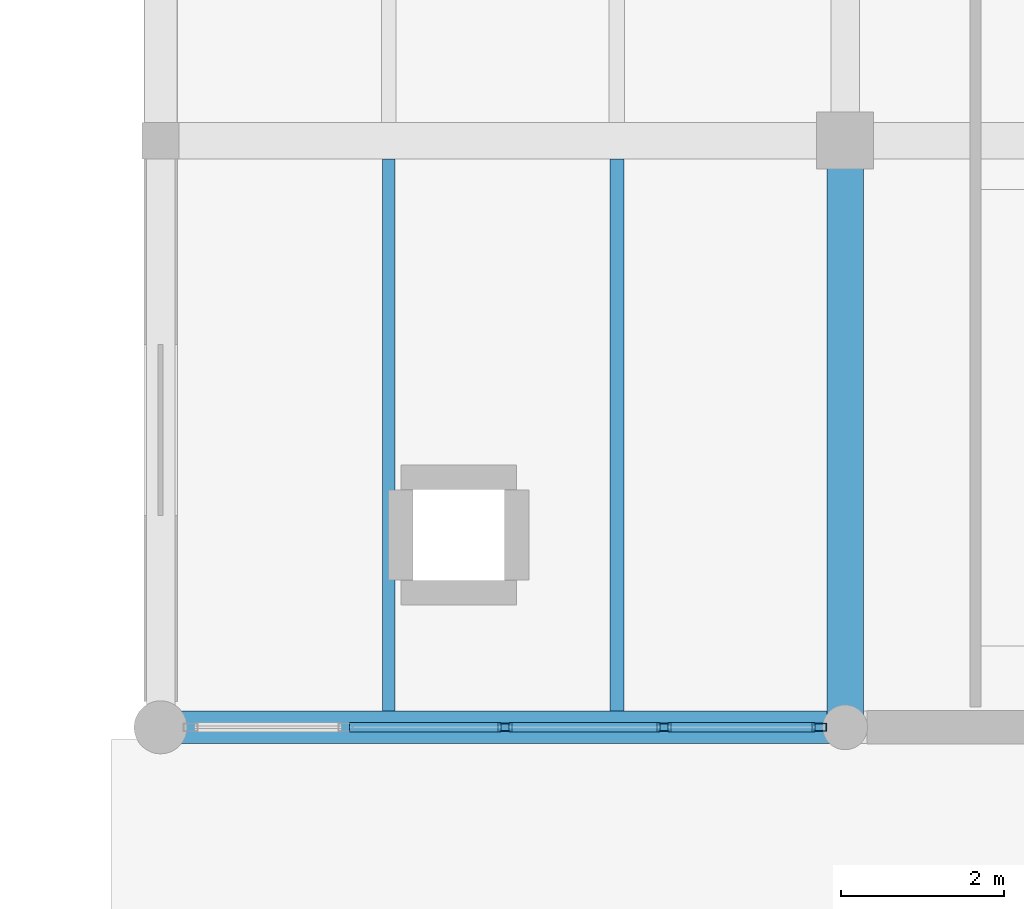
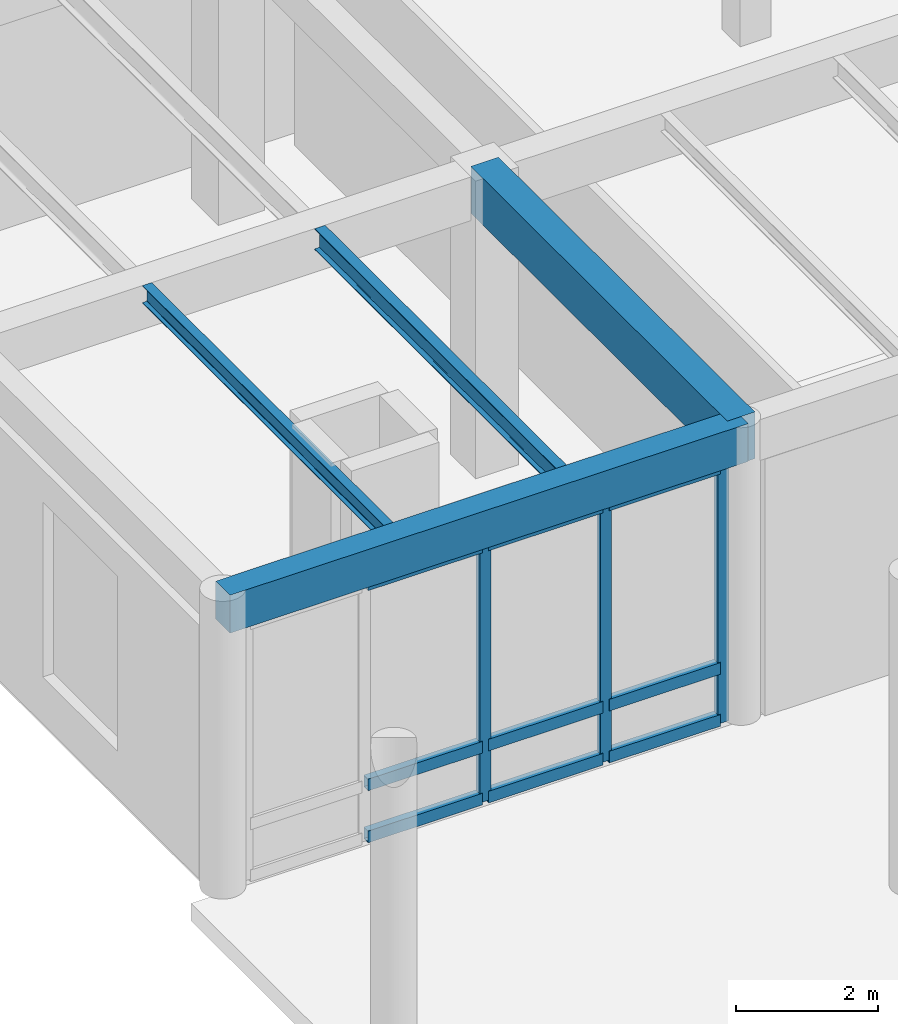
# One storey, part 20 of 169: 12 members, 4 beams, 1 element without a shape of its own.
"""IFC4 building model written with IfcOpenShell, lengths in metres."""

from ifc_helpers import new_model, si_unit, direction, frame, origin, origin_2d, place, context, subcontext, project, spatial, rectangle, hollow_rectangle, i_section, extrude, material, layer, layer_set, material_profile, profile_set, type_object, element, aggregate, save


model = new_model("IFC4")

# Units and contexts
model_context = context("Model", 3, precision=1e-05, world=origin(), true_north=direction((0.0, 1.0)))
body_context = subcontext(model_context, "Body", "Model", "MODEL_VIEW")
ifc_project = project(units=[si_unit("LENGTHUNIT", "METRE"), si_unit("AREAUNIT", "SQUARE_METRE"), si_unit("VOLUMEUNIT", "CUBIC_METRE"), si_unit("PLANEANGLEUNIT", "RADIAN"), si_unit("MASSUNIT", "GRAM", prefix="KILO")], contexts=[model_context])

# Site, building, storey
site_placement = place(None, origin())
site = spatial("IfcSite", under=ifc_project, at=site_placement, CompositionType="ELEMENT")
building_placement = place(site_placement, origin())
building = spatial("IfcBuilding", under=site, at=building_placement, Name="Mazaris Harbour Polytechnic", CompositionType="ELEMENT")
storey_placement = place(building_placement, origin())
storey = spatial("IfcBuildingStorey", under=building, at=storey_placement, Name="L00", CompositionType="ELEMENT", Elevation=0.0)

# Curtain wall, members
ifc_material_1 = material(Name="Anodised Bronze Aluminium and Low-E Glass", Category="aluminium")
ifc_layer = layer(ifc_material_1, 0.179931640625, Name="Anodised Bronze Aluminium and Low-E Glass")
ifc_layer_set = layer_set([ifc_layer], Name="Anodised Bronze Aluminium and Low-E Glass")
curtain_wall_type = type_object("IfcCurtainWallType", Name="Harbour Colonnade Curtain Wall", PredefinedType="NOTDEFINED", material=ifc_layer_set)
curtain_wall_placement = place(storey_placement, origin())
curtain_wall = element("IfcCurtainWall", 1, at=curtain_wall_placement, inside=storey, type_object=curtain_wall_type, Name="V3 L00 Curtain Wall 60", PredefinedType="NOTDEFINED")
ifc_material_2 = material(Name="Anodised Bronze Steel S355", Category="steel")
ifc_material_profile_1 = material_profile(ifc_material_2, hollow_rectangle(XDim=0.10009765625, YDim=0.179931640625, WallThickness=0.008056640625, at=origin_2d()), Name="RHS 100x180x8.0")
ifc_profile_set_1 = profile_set([ifc_material_profile_1], Name="Anodised Bronze Steel S355")
member_type_1 = type_object("IfcMemberType", Name="Curtain Mullion RHS100x180", PredefinedType="MULLION", material=ifc_profile_set_1)
member_1_placement = place(storey_placement, frame((62.0830078125, 7.199951171875, 0.0), z_axis=(0.0, 0.0, 1.0), x_axis=(0.0, -1.0, 0.0)))
member_1 = element("IfcMember", 2, at=member_1_placement, type_object=member_type_1, Name="CW-01 mullion 1", PredefinedType="MULLION", context=body_context, shape_type="SweptSolid", body=[
    extrude(hollow_rectangle(XDim=0.10009765625, YDim=0.179931640625, WallThickness=0.008056640625, at=origin_2d()), origin(), (0.0, 0.0, 1.0), 4.43994140625),
])
member_2_placement = place(storey_placement, frame((60.178955078125, 7.199951171875, 0.0), z_axis=(0.0, 0.0, 1.0), x_axis=(0.0, -1.0, 0.0)))
member_2 = element("IfcMember", 3, at=member_2_placement, type_object=member_type_1, Name="CW-01 mullion 2", PredefinedType="MULLION", context=body_context, shape_type="SweptSolid", body=[
    extrude(hollow_rectangle(XDim=0.10009765625, YDim=0.179931640625, WallThickness=0.008056640625, at=origin_2d()), origin(), (0.0, 0.0, 1.0), 4.43994140625),
])
member_3_placement = place(storey_placement, frame((58.22509765625, 7.199951171875, 0.0), z_axis=(0.0, 0.0, 1.0), x_axis=(0.0, -1.0, 0.0)))
member_3 = element("IfcMember", 4, at=member_3_placement, type_object=member_type_1, Name="CW-01 mullion 3", PredefinedType="MULLION", context=body_context, shape_type="SweptSolid", body=[
    extrude(hollow_rectangle(XDim=0.10009765625, YDim=0.179931640625, WallThickness=0.008056640625, at=origin_2d()), origin(), (0.0, 0.0, 1.0), 4.43994140625),
])
ifc_material_3 = material(Name="Anodised Bronze Steel S355", Category="steel")
ifc_material_profile_2 = material_profile(ifc_material_3, hollow_rectangle(XDim=0.1201171875, YDim=0.199951171875, WallThickness=0.008056640625, at=origin_2d()), Name="RHS 120x200x8.0")
ifc_profile_set_2 = profile_set([ifc_material_profile_2], Name="Anodised Bronze Steel S355")
member_type_2 = type_object("IfcMemberType", Name="Curtain Transom RHS120x200", PredefinedType="USERDEFINED", material=ifc_profile_set_2)
member_4_placement = place(storey_placement, frame((62.032958984375, 7.199951171875, 0.06005859375), z_axis=(-1.0, 0.0, 0.0), x_axis=(0.0, -1.0, 0.0)))
member_4 = element("IfcMember", 5, at=member_4_placement, type_object=member_type_2, Name="CW-01 transom 1.1", ObjectType="TRANSOM", PredefinedType="USERDEFINED", context=body_context, shape_type="SweptSolid", body=[
    extrude(hollow_rectangle(XDim=0.1201171875, YDim=0.199951171875, WallThickness=0.008056640625, at=origin_2d()), origin(), (0.0, 0.0, 1.0), 1.803955078125),
])
member_5_placement = place(storey_placement, frame((62.032958984375, 7.199951171875, 0.949951171875), z_axis=(-1.0, 0.0, 0.0), x_axis=(0.0, -1.0, 0.0)))
member_5 = element("IfcMember", 6, at=member_5_placement, type_object=member_type_2, Name="CW-01 transom 1.2", ObjectType="TRANSOM", PredefinedType="USERDEFINED", context=body_context, shape_type="SweptSolid", body=[
    extrude(hollow_rectangle(XDim=0.1201171875, YDim=0.199951171875, WallThickness=0.008056640625, at=origin_2d()), origin(), (0.0, 0.0, 1.0), 1.803955078125),
])
member_6_placement = place(storey_placement, frame((62.032958984375, 7.199951171875, 4.3798828125), z_axis=(-1.0, 0.0, 0.0), x_axis=(0.0, -1.0, 0.0)))
member_6 = element("IfcMember", 7, at=member_6_placement, type_object=member_type_2, Name="CW-01 transom 1.3", ObjectType="TRANSOM", PredefinedType="USERDEFINED", context=body_context, shape_type="SweptSolid", body=[
    extrude(hollow_rectangle(XDim=0.1201171875, YDim=0.199951171875, WallThickness=0.008056640625, at=origin_2d()), origin(), (0.0, 0.0, 1.0), 1.803955078125),
])
member_7_placement = place(storey_placement, frame((60.12890625, 7.199951171875, 0.06005859375), z_axis=(-1.0, 0.0, 0.0), x_axis=(0.0, -1.0, 0.0)))
member_7 = element("IfcMember", 8, at=member_7_placement, type_object=member_type_2, Name="CW-01 transom 2.1", ObjectType="TRANSOM", PredefinedType="USERDEFINED", context=body_context, shape_type="SweptSolid", body=[
    extrude(hollow_rectangle(XDim=0.1201171875, YDim=0.199951171875, WallThickness=0.008056640625, at=origin_2d()), origin(), (0.0, 0.0, 1.0), 1.85400390625),
])
member_8_placement = place(storey_placement, frame((60.12890625, 7.199951171875, 0.949951171875), z_axis=(-1.0, 0.0, 0.0), x_axis=(0.0, -1.0, 0.0)))
member_8 = element("IfcMember", 9, at=member_8_placement, type_object=member_type_2, Name="CW-01 transom 2.2", ObjectType="TRANSOM", PredefinedType="USERDEFINED", context=body_context, shape_type="SweptSolid", body=[
    extrude(hollow_rectangle(XDim=0.1201171875, YDim=0.199951171875, WallThickness=0.008056640625, at=origin_2d()), origin(), (0.0, 0.0, 1.0), 1.85400390625),
])
member_9_placement = place(storey_placement, frame((60.12890625, 7.199951171875, 4.3798828125), z_axis=(-1.0, 0.0, 0.0), x_axis=(0.0, -1.0, 0.0)))
member_9 = element("IfcMember", 10, at=member_9_placement, type_object=member_type_2, Name="CW-01 transom 2.3", ObjectType="TRANSOM", PredefinedType="USERDEFINED", context=body_context, shape_type="SweptSolid", body=[
    extrude(hollow_rectangle(XDim=0.1201171875, YDim=0.199951171875, WallThickness=0.008056640625, at=origin_2d()), origin(), (0.0, 0.0, 1.0), 1.85400390625),
])
member_10_placement = place(storey_placement, frame((58.175048828125, 7.199951171875, 0.06005859375), z_axis=(-1.0, 0.0, 0.0), x_axis=(0.0, -1.0, 0.0)))
member_10 = element("IfcMember", 11, at=member_10_placement, type_object=member_type_2, Name="CW-01 transom 3.1", ObjectType="TRANSOM", PredefinedType="USERDEFINED", context=body_context, shape_type="SweptSolid", body=[
    extrude(hollow_rectangle(XDim=0.1201171875, YDim=0.199951171875, WallThickness=0.008056640625, at=origin_2d()), origin(), (0.0, 0.0, 1.0), 1.85400390625),
])
member_11_placement = place(storey_placement, frame((58.175048828125, 7.199951171875, 0.949951171875), z_axis=(-1.0, 0.0, 0.0), x_axis=(0.0, -1.0, 0.0)))
member_11 = element("IfcMember", 12, at=member_11_placement, type_object=member_type_2, Name="CW-01 transom 3.2", ObjectType="TRANSOM", PredefinedType="USERDEFINED", context=body_context, shape_type="SweptSolid", body=[
    extrude(hollow_rectangle(XDim=0.1201171875, YDim=0.199951171875, WallThickness=0.008056640625, at=origin_2d()), origin(), (0.0, 0.0, 1.0), 1.85400390625),
])
member_12_placement = place(storey_placement, frame((58.175048828125, 7.199951171875, 4.3798828125), z_axis=(-1.0, 0.0, 0.0), x_axis=(0.0, -1.0, 0.0)))
member_12 = element("IfcMember", 13, at=member_12_placement, type_object=member_type_2, Name="CW-01 transom 3.3", ObjectType="TRANSOM", PredefinedType="USERDEFINED", context=body_context, shape_type="SweptSolid", body=[
    extrude(hollow_rectangle(XDim=0.1201171875, YDim=0.199951171875, WallThickness=0.008056640625, at=origin_2d()), origin(), (0.0, 0.0, 1.0), 1.85400390625),
])
aggregate(curtain_wall, [member_1, member_2, member_3, member_4, member_5, member_6, member_7, member_8, member_9, member_10, member_11, member_12])

# Beams
ifc_material_4 = material(Name="Concrete C35/45", Category="concrete")
ifc_material_profile_3 = material_profile(ifc_material_4, rectangle(XDim=0.39990234375, YDim=0.64990234375, at=origin_2d()), Name="RECT400x650")
ifc_profile_set_3 = profile_set([ifc_material_profile_3], Name="Concrete C35/45")
beam_type_1 = type_object("IfcBeamType", Name="RC Girder 400x650 Exterior", PredefinedType="BEAM", material=ifc_profile_set_3)
beam_1_placement = place(storey_placement, frame((54.0, 7.199951171875, 4.77490234375), z_axis=(1.0, 0.0, 0.0), x_axis=(0.0, 1.0, 0.0)))
element("IfcBeam", 14, at=beam_1_placement, inside=storey, type_object=beam_type_1, Name="V3 L00 Girder 856", PredefinedType="BEAM", context=body_context, shape_type="SweptSolid", body=[
    extrude(rectangle(XDim=0.39990234375, YDim=0.64990234375, at=origin_2d()), origin(), (0.0, 0.0, 1.0), 8.39990234375),
])
ifc_material_5 = material(Name="Concrete C40/50", Category="concrete")
ifc_material_profile_4 = material_profile(ifc_material_5, rectangle(XDim=0.449951171875, YDim=0.800048828125, at=origin_2d()), Name="RECT450x800")
ifc_profile_set_4 = profile_set([ifc_material_profile_4], Name="Concrete C40/50")
beam_type_2 = type_object("IfcBeamType", Name="RC Girder 450x800", PredefinedType="BEAM", material=ifc_profile_set_4)
beam_2_placement = place(storey_placement, frame((62.39990234375, 7.199951171875, 4.699951171875), z_axis=(0.0, 1.0, 0.0), x_axis=(-1.0, 0.0, 0.0)))
element("IfcBeam", 15, at=beam_2_placement, inside=storey, type_object=beam_type_2, Name="V3 L00 Tie Girder 894", PredefinedType="BEAM", context=body_context, shape_type="SweptSolid", body=[
    extrude(rectangle(XDim=0.449951171875, YDim=0.800048828125, at=origin_2d()), origin(), (0.0, 0.0, 1.0), 7.199951171875),
])
ifc_material_6 = material(Name="Steel S355", Category="steel")
ifc_material_profile_5 = material_profile(ifc_material_6, i_section(OverallWidth=0.14990234375, OverallDepth=0.300048828125, WebThickness=0.007080078125, FlangeThickness=0.0107421875, FilletRadius=0.014892578125, at=origin_2d()), Name="IPE 300")
ifc_profile_set_5 = profile_set([ifc_material_profile_5], Name="Steel S355")
beam_type_3 = type_object("IfcBeamType", Name="Steel Joist IPE300", PredefinedType="JOIST", material=ifc_profile_set_5)
beam_3_placement = place(storey_placement, frame((56.800048828125, 7.39990234375, 4.949951171875), z_axis=(0.0, 1.0, 0.0), x_axis=(-1.0, 0.0, 0.0)))
element("IfcBeam", 16, at=beam_3_placement, inside=storey, type_object=beam_type_3, Name="V3 L00 Floor Joist 920", PredefinedType="JOIST", context=body_context, shape_type="SweptSolid", body=[
    extrude(i_section(OverallWidth=0.14990234375, OverallDepth=0.300048828125, WebThickness=0.007080078125, FlangeThickness=0.0107421875, FilletRadius=0.014892578125, at=origin_2d()), origin(), (0.0, 0.0, 1.0), 6.775146484375),
])
ifc_material_7 = material(Name="Steel S355", Category="steel")
ifc_material_profile_6 = material_profile(ifc_material_7, i_section(OverallWidth=0.169921875, OverallDepth=0.360107421875, WebThickness=0.008056640625, FlangeThickness=0.0126953125, FilletRadius=0.01806640625, at=origin_2d()), Name="IPE 360")
ifc_profile_set_6 = profile_set([ifc_material_profile_6], Name="Steel S355")
beam_type_4 = type_object("IfcBeamType", Name="Steel Joist IPE360", PredefinedType="JOIST", material=ifc_profile_set_6)
beam_4_placement = place(storey_placement, frame((59.60009765625, 7.39990234375, 4.919921875), z_axis=(0.0, 1.0, 0.0), x_axis=(-1.0, 0.0, 0.0)))
element("IfcBeam", 17, at=beam_4_placement, inside=storey, type_object=beam_type_4, Name="V3 L00 Floor Joist 921", PredefinedType="JOIST", context=body_context, shape_type="SweptSolid", body=[
    extrude(i_section(OverallWidth=0.169921875, OverallDepth=0.360107421875, WebThickness=0.008056640625, FlangeThickness=0.0126953125, FilletRadius=0.01806640625, at=origin_2d()), origin(), (0.0, 0.0, 1.0), 6.775146484375),
])

save(model, "model.ifc")
